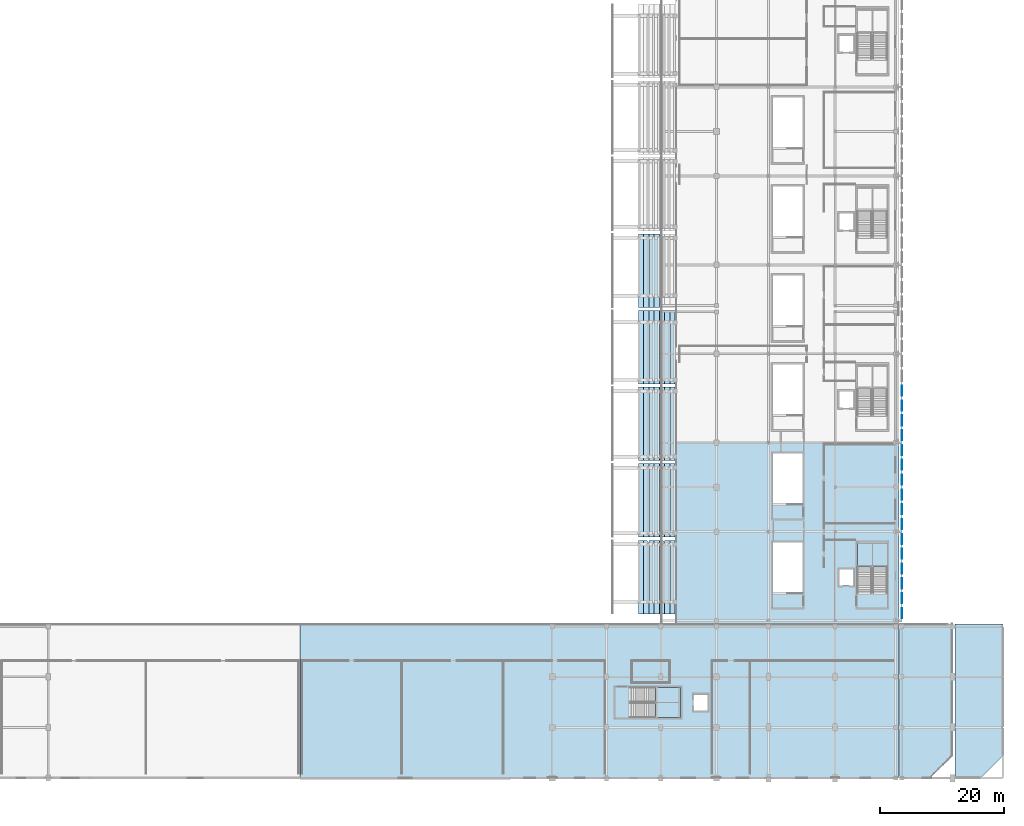
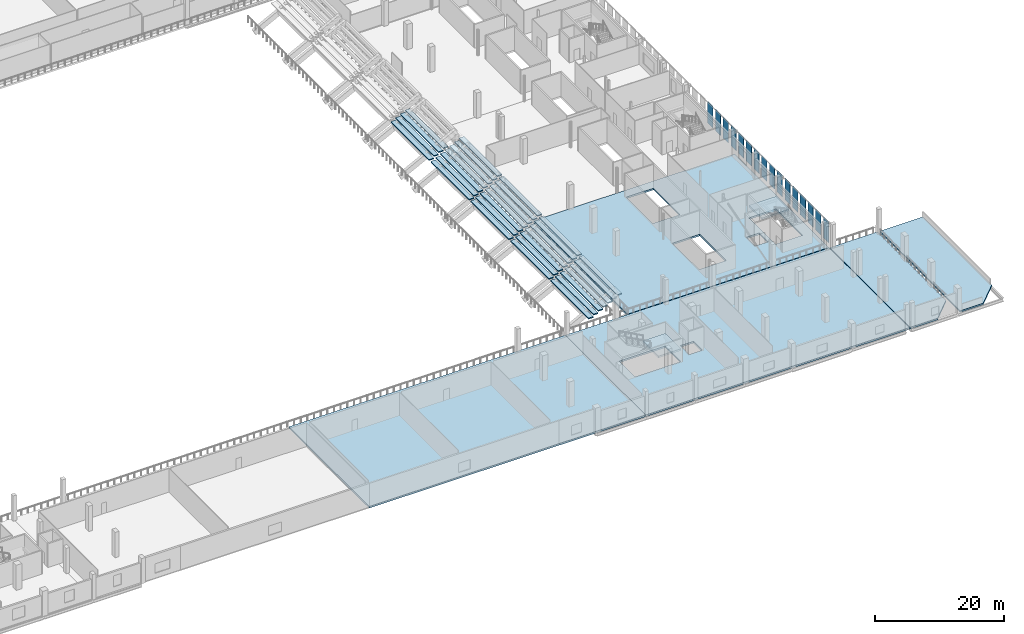
# One storey, part 24 of 74: 39 slabs, 16 plates, 2 elements without a shape of their own.
"""IFC4 building model written with IfcOpenShell, lengths in metres."""

from ifc_helpers import new_model, si_unit, direction, frame, origin, origin_2d, place, context, subcontext, project, spatial, polyline, rectangle, outline, extrude, material, layer, layer_set, type_object, element, aggregate, save


model = new_model("IFC4")

# Units and contexts
model_context = context("Model", 3, precision=1e-05, world=origin(), true_north=direction((0.0, 1.0)))
body_context = subcontext(model_context, "Body", "Model", "MODEL_VIEW")
ifc_project = project(units=[si_unit("LENGTHUNIT", "METRE"), si_unit("AREAUNIT", "SQUARE_METRE"), si_unit("VOLUMEUNIT", "CUBIC_METRE"), si_unit("PLANEANGLEUNIT", "RADIAN"), si_unit("MASSUNIT", "GRAM", prefix="KILO")], contexts=[model_context])

# Site, building, storey
site_placement = place(None, origin())
site = spatial("IfcSite", under=ifc_project, at=site_placement, CompositionType="ELEMENT")
building_placement = place(site_placement, origin())
building = spatial("IfcBuilding", under=site, at=building_placement, Name="Koshinbarg Plaza Stadium", CompositionType="ELEMENT")
storey_placement = place(building_placement, frame((0.0, 0.0, 15.0)))
storey = spatial("IfcBuildingStorey", under=building, at=storey_placement, Name="L03", CompositionType="ELEMENT", Elevation=15.0)

# Plates
ifc_material_1 = material(Name="Off-white mineral-coated perforated aluminium screen panel", Category="aluminium")
ifc_layer_1 = layer(ifc_material_1, 0.050048828125)
ifc_layer_set_1 = layer_set([ifc_layer_1], Name="Off-white mineral-coated perforated aluminium screen panel")
plate_type_1 = type_object("IfcPlateType", Name="PLT-SCR-50", PredefinedType="USERDEFINED", material=ifc_layer_set_1)
for number, where, z_axis, x_axis, name in (
    (1, (219.419921875, 29.10009765625, 0.2001953125), (0.0, 0.0, 1.0), (1.0, 0.0, 0.0), "L03 off-white leaf-pierced outer screen panel 170"),
    (2, (219.419921875, 33.89990234375, 0.2001953125), (0.0, 0.0, 1.0), (1.0, 0.0, 0.0), "L03 off-white leaf-pierced outer screen panel 172"),
    (3, (219.419921875, 38.699951171875, 0.2001953125), (0.0, 0.0, 1.0), (1.0, 0.0, 0.0), "L03 off-white leaf-pierced outer screen panel 174"),
    (4, (219.419921875, 43.5, 0.2001953125), (0.0, 0.0, 1.0), (1.0, 0.0, 0.0), "L03 off-white leaf-pierced outer screen panel 176"),
    (5, (219.419921875, 48.300048828125, 0.2001953125), (0.0, 0.0, 1.0), (1.0, 0.0, 0.0), "L03 off-white leaf-pierced outer screen panel 178"),
    (6, (219.419921875, 53.10009765625, 0.2001953125), (0.0, 0.0, 1.0), (1.0, 0.0, 0.0), "L03 off-white leaf-pierced outer screen panel 180"),
    (7, (219.419921875, 57.89990234375, 0.2001953125), (0.0, 0.0, 1.0), (1.0, 0.0, 0.0), "L03 off-white leaf-pierced outer screen panel 182"),
    (8, (219.419921875, 62.699951171875, 0.2001953125), (0.0, 0.0, 1.0), (1.0, 0.0, 0.0), "L03 off-white leaf-pierced outer screen panel 184"),
):
    element("IfcPlate", number, at=place(storey_placement, frame(where, z_axis=z_axis, x_axis=x_axis)), inside=storey, type_object=plate_type_1, Name=name, ObjectType="SCREEN PANEL", PredefinedType="USERDEFINED", context=body_context, shape_type="SweptSolid", body=[
        extrude(rectangle(XDim=0.050048828125, YDim=1.632080078125, at=origin_2d()), origin(), (0.0, 0.0, 1.0), 4.030029296875),
    ])
ifc_material_2 = material(Name="Off-white mineral-coated leaf-aperture GRC screen panel")
ifc_layer_2 = layer(ifc_material_2, 0.06005859375)
ifc_layer_set_2 = layer_set([ifc_layer_2], Name="Off-white mineral-coated leaf-aperture GRC screen panel")
plate_type_2 = type_object("IfcPlateType", Name="PLT-SCR-60", PredefinedType="USERDEFINED", material=ifc_layer_set_2)
for number, where, z_axis, x_axis, name in (
    (9, (219.425048828125, 26.699951171875, 0.2001953125), (0.0, 0.0, 1.0), (1.0, 0.0, 0.0), "L03 off-white leaf-pierced outer screen panel 169"),
    (10, (219.425048828125, 31.5, 0.2001953125), (0.0, 0.0, 1.0), (1.0, 0.0, 0.0), "L03 off-white leaf-pierced outer screen panel 171"),
    (11, (219.425048828125, 36.300048828125, 0.2001953125), (0.0, 0.0, 1.0), (1.0, 0.0, 0.0), "L03 off-white leaf-pierced outer screen panel 173"),
    (12, (219.425048828125, 41.10009765625, 0.2001953125), (0.0, 0.0, 1.0), (1.0, 0.0, 0.0), "L03 off-white leaf-pierced outer screen panel 175"),
    (13, (219.425048828125, 45.89990234375, 0.2001953125), (0.0, 0.0, 1.0), (1.0, 0.0, 0.0), "L03 off-white leaf-pierced outer screen panel 177"),
    (14, (219.425048828125, 50.699951171875, 0.2001953125), (0.0, 0.0, 1.0), (1.0, 0.0, 0.0), "L03 off-white leaf-pierced outer screen panel 179"),
    (15, (219.425048828125, 55.5, 0.2001953125), (0.0, 0.0, 1.0), (1.0, 0.0, 0.0), "L03 off-white leaf-pierced outer screen panel 181"),
    (16, (219.425048828125, 60.300048828125, 0.2001953125), (0.0, 0.0, 1.0), (1.0, 0.0, 0.0), "L03 off-white leaf-pierced outer screen panel 183"),
):
    element("IfcPlate", number, at=place(storey_placement, frame(where, z_axis=z_axis, x_axis=x_axis)), inside=storey, type_object=plate_type_2, Name=name, ObjectType="SCREEN PANEL", PredefinedType="USERDEFINED", context=body_context, shape_type="SweptSolid", body=[
        extrude(rectangle(XDim=0.06005859375, YDim=1.632080078125, at=origin_2d()), origin(), (0.0, 0.0, 1.0), 4.030029296875),
    ])

# Slabs
ifc_material_3 = material(Name="Concrete C35/45", Category="concrete")
ifc_layer_3 = layer(ifc_material_3, 0.300048828125)
ifc_layer_set_3 = layer_set([ifc_layer_3], Name="Concrete C35/45")
slab_type_1 = type_object("IfcSlabType", Name="SL-FLATROOF-260", PredefinedType="ROOF", material=ifc_layer_set_3)
slab_1_placement = place(storey_placement, frame((0.0, 0.0, -0.300048828125)))
element("IfcSlab", 17, at=slab_1_placement, inside=storey, type_object=slab_type_1, Name="L03 pavilion flat roof slab RF-V4-STEP2", PredefinedType="ROOF", context=body_context, shape_type="SweptSolid", body=[
    extrude(outline(polyline([(228.050048828125, 0.0), (232.199951171875, 0.0), (235.800048828125, 3.60009765625), (235.800048828125, 24.955078125), (228.050048828125, 24.955078125), (228.050048828125, 0.0)])), origin(), (0.0, 0.0, 1.0), 0.300048828125),
])
ifc_layer_4 = layer(ifc_material_3, 0.320068359375)
ifc_layer_set_4 = layer_set([ifc_layer_4], Name="Concrete C35/45")
slab_type_2 = type_object("IfcSlabType", Name="SL-FLR-320", PredefinedType="FLOOR", material=ifc_layer_set_4)
slab_2_placement = place(storey_placement, frame((0.0, 0.0, -0.320068359375)))
element("IfcSlab", 18, at=slab_2_placement, inside=storey, type_object=slab_type_2, Name="L03 V2 structural slab 5", PredefinedType="FLOOR", context=body_context, shape_type="SweptSolid", body=[
    extrude(outline(polyline([(182.800048828125, 25.044921875), (218.955078125, 25.044921875), (218.955078125, 54.300048828125), (182.800048828125, 54.300048828125), (182.800048828125, 25.044921875)]), holes=[polyline([(217.070068359375, 29.9599609375), (217.070068359375, 38.199951171875), (212.199951171875, 38.199951171875), (212.199951171875, 29.9599609375), (217.070068359375, 29.9599609375)]), polyline([(209.25, 31.14990234375), (211.550048828125, 31.14990234375), (211.550048828125, 33.85009765625), (209.25, 33.85009765625), (209.25, 31.14990234375)]), polyline([(203.3701171875, 29.9599609375), (203.3701171875, 38.199951171875), (198.5, 38.199951171875), (198.5, 29.9599609375), (203.3701171875, 29.9599609375)]), polyline([(203.3701171875, 44.360107421875), (203.3701171875, 52.60009765625), (198.5, 52.60009765625), (198.5, 44.360107421875), (203.3701171875, 44.360107421875)])]), origin(), (0.0, 0.0, 1.0), 0.320068359375),
])
slab_3_placement = place(storey_placement, frame((0.0, 0.0, -0.320068359375)))
element("IfcSlab", 19, at=slab_3_placement, inside=storey, type_object=slab_type_2, Name="L03 V4 structural slab 15", PredefinedType="FLOOR", context=body_context, shape_type="SweptSolid", body=[
    extrude(outline(polyline([(122.0, 0.0), (171.60009765625, 0.0), (171.60009765625, 24.955078125), (122.0, 24.955078125), (122.0, 0.0)])), origin(), (0.0, 0.0, 1.0), 0.320068359375),
])
slab_4_placement = place(storey_placement, frame((0.0, 0.0, -0.320068359375)))
element("IfcSlab", 20, at=slab_4_placement, inside=storey, type_object=slab_type_2, Name="L03 V4 structural slab 16", PredefinedType="FLOOR", context=body_context, shape_type="SweptSolid", body=[
    extrude(outline(polyline([(171.60009765625, 0.0), (218.955078125, 0.0), (218.955078125, 24.955078125), (171.60009765625, 24.955078125), (171.60009765625, 0.0)]), holes=[polyline([(175.360107421875, 9.800048828125), (183.60009765625, 9.800048828125), (183.60009765625, 14.669921875), (175.360107421875, 14.669921875), (175.360107421875, 9.800048828125)]), polyline([(185.699951171875, 10.85009765625), (188.0, 10.85009765625), (188.0, 13.550048828125), (185.699951171875, 13.550048828125), (185.699951171875, 10.85009765625)])]), origin(), (0.0, 0.0, 1.0), 0.320068359375),
])
slab_5_placement = place(storey_placement, frame((0.0, 0.0, -0.320068359375)))
element("IfcSlab", 21, at=slab_5_placement, inside=storey, type_object=slab_type_2, Name="L03 V4 structural slab 17", PredefinedType="FLOOR", context=body_context, shape_type="SweptSolid", body=[
    extrude(outline(polyline([(219.044921875, 0.0), (224.0, 0.0), (227.60009765625, 3.60009765625), (227.60009765625, 24.955078125), (219.044921875, 24.955078125), (219.044921875, 0.0)])), origin(), (0.0, 0.0, 1.0), 0.320068359375),
])

# Stair, slab
stair_type = type_object("IfcStairType", Name="ST-CORE-48", PredefinedType="HALF_TURN_STAIR", material=ifc_material_3)
stair_1_placement = place(storey_placement, origin())
stair_1 = element("IfcStair", 22, at=stair_1_placement, inside=storey, type_object=stair_type, Name="L03 Protected Exit Stair C07", PredefinedType="HALF_TURN_STAIR")
ifc_layer_5 = layer(ifc_material_3, 0.320068359375)
ifc_layer_set_5 = layer_set([ifc_layer_5], Name="Concrete C35/45")
slab_type_3 = type_object("IfcSlabType", Name="SL-STLAND-280", PredefinedType="LANDING", material=ifc_layer_set_5)
slab_6_placement = place(storey_placement, frame((0.0, 0.0, 2.080078125)))
slab_6 = element("IfcSlab", 23, at=slab_6_placement, type_object=slab_type_3, Name="L03 Protected Exit Stair C07 landing 040", PredefinedType="LANDING", context=body_context, shape_type="SweptSolid", body=[
    extrude(outline(polyline([(217.070068359375, 34.159912109375), (217.070068359375, 38.199951171875), (212.199951171875, 38.199951171875), (212.199951171875, 34.159912109375), (217.070068359375, 34.159912109375)])), origin(), (0.0, 0.0, 1.0), 0.31982421875),
])
aggregate(stair_1, [slab_6])

stair_2_placement = place(storey_placement, origin())
stair_2 = element("IfcStair", 24, at=stair_2_placement, inside=storey, type_object=stair_type, Name="L03 Protected Exit Stair C14", PredefinedType="HALF_TURN_STAIR")
slab_7_placement = place(storey_placement, frame((0.0, 0.0, 2.080078125)))
slab_7 = element("IfcSlab", 25, at=slab_7_placement, type_object=slab_type_3, Name="L03 Protected Exit Stair C14 landing 070", PredefinedType="LANDING", context=body_context, shape_type="SweptSolid", body=[
    extrude(outline(polyline([(179.56005859375, 9.800048828125), (183.60009765625, 9.800048828125), (183.60009765625, 14.669921875), (179.56005859375, 14.669921875), (179.56005859375, 9.800048828125)])), origin(), (0.0, 0.0, 1.0), 0.31982421875),
])
aggregate(stair_2, [slab_7])

# Slabs
ifc_material_4 = material(Name="Precast concrete C40/50", Category="concrete")
ifc_layer_6 = layer(ifc_material_4, 0.199951171875)
ifc_layer_set_6 = layer_set([ifc_layer_6], Name="Precast concrete C40/50")
slab_type_4 = type_object("IfcSlabType", Name="SL-TIER-UT", PredefinedType="USERDEFINED", material=ifc_layer_set_6)
slab_8_placement = place(storey_placement, frame((0.0, 0.0, 0.219970703125)))
element("IfcSlab", 26, at=slab_8_placement, inside=storey, type_object=slab_type_4, Name="Stand upper seating tier UT-E01 row 6", ObjectType="SEATING TIER", PredefinedType="USERDEFINED", context=body_context, shape_type="SweptSolid", body=[
    extrude(outline(polyline([(176.75, 26.60009765625), (177.60009765625, 26.60009765625), (177.60009765625, 38.5), (176.75, 38.5), (176.75, 26.60009765625)])), origin(), (0.0, 0.0, 1.0), 0.199951171875),
])
slab_9_placement = place(storey_placement, frame((0.0, 0.0, 0.659912109375)))
element("IfcSlab", 27, at=slab_9_placement, inside=storey, type_object=slab_type_4, Name="Stand upper seating tier UT-E01 row 7", ObjectType="SEATING TIER", PredefinedType="USERDEFINED", context=body_context, shape_type="SweptSolid", body=[
    extrude(outline(polyline([(177.60009765625, 26.60009765625), (178.449951171875, 26.60009765625), (178.449951171875, 38.14990234375), (178.10009765625, 38.5), (177.60009765625, 38.5), (177.60009765625, 26.60009765625)])), origin(), (0.0, 0.0, 1.0), 0.2001953125),
])
slab_10_placement = place(storey_placement, frame((0.0, 0.0, 1.10009765625)))
element("IfcSlab", 28, at=slab_10_placement, inside=storey, type_object=slab_type_4, Name="Stand upper seating tier UT-E01 row 8", ObjectType="SEATING TIER", PredefinedType="USERDEFINED", context=body_context, shape_type="SweptSolid", body=[
    extrude(outline(polyline([(178.449951171875, 26.60009765625), (179.300048828125, 26.60009765625), (179.300048828125, 38.5), (178.449951171875, 38.5), (178.449951171875, 26.60009765625)])), origin(), (0.0, 0.0, 1.0), 0.199951171875),
])
slab_11_placement = place(storey_placement, frame((0.0, 0.0, 1.5400390625)))
element("IfcSlab", 29, at=slab_11_placement, inside=storey, type_object=slab_type_4, Name="Stand upper seating tier UT-E01 row 9", ObjectType="SEATING TIER", PredefinedType="USERDEFINED", context=body_context, shape_type="SweptSolid", body=[
    extrude(outline(polyline([(179.300048828125, 26.60009765625), (180.14990234375, 26.60009765625), (180.14990234375, 38.5), (179.300048828125, 38.5), (179.300048828125, 26.60009765625)])), origin(), (0.0, 0.0, 1.0), 0.199951171875),
])
slab_12_placement = place(storey_placement, frame((0.0, 0.0, 1.97998046875)))
element("IfcSlab", 30, at=slab_12_placement, inside=storey, type_object=slab_type_4, Name="Stand upper seating tier UT-E01 row 10", ObjectType="SEATING TIER", PredefinedType="USERDEFINED", context=body_context, shape_type="SweptSolid", body=[
    extrude(outline(polyline([(180.14990234375, 26.60009765625), (181.0, 26.60009765625), (181.0, 38.14990234375), (180.64990234375, 38.5), (180.14990234375, 38.5), (180.14990234375, 26.60009765625)])), origin(), (0.0, 0.0, 1.0), 0.199951171875),
])
slab_13_placement = place(storey_placement, frame((0.0, 0.0, 2.419921875)))
element("IfcSlab", 31, at=slab_13_placement, inside=storey, type_object=slab_type_4, Name="Stand upper seating tier UT-E01 row 11", ObjectType="SEATING TIER", PredefinedType="USERDEFINED", context=body_context, shape_type="SweptSolid", body=[
    extrude(outline(polyline([(181.0, 26.60009765625), (181.85009765625, 26.60009765625), (181.85009765625, 38.5), (181.0, 38.5), (181.0, 26.60009765625)])), origin(), (0.0, 0.0, 1.0), 0.2001953125),
])
slab_14_placement = place(storey_placement, frame((0.0, 0.0, 2.860107421875)))
element("IfcSlab", 32, at=slab_14_placement, inside=storey, type_object=slab_type_4, Name="Stand upper seating tier UT-E01 row 12", ObjectType="SEATING TIER", PredefinedType="USERDEFINED", context=body_context, shape_type="SweptSolid", body=[
    extrude(outline(polyline([(181.85009765625, 26.60009765625), (182.699951171875, 26.60009765625), (182.699951171875, 38.5), (181.85009765625, 38.5), (181.85009765625, 26.60009765625)])), origin(), (0.0, 0.0, 1.0), 0.199951171875),
])
slab_15_placement = place(storey_placement, frame((0.0, 0.0, 0.219970703125)))
element("IfcSlab", 33, at=slab_15_placement, inside=storey, type_object=slab_type_4, Name="Stand upper seating tier UT-E02 row 6", ObjectType="SEATING TIER", PredefinedType="USERDEFINED", context=body_context, shape_type="SweptSolid", body=[
    extrude(outline(polyline([(176.75, 39.0), (177.60009765625, 39.0), (177.60009765625, 50.89990234375), (176.75, 50.89990234375), (176.75, 39.0)])), origin(), (0.0, 0.0, 1.0), 0.199951171875),
])
slab_16_placement = place(storey_placement, frame((0.0, 0.0, 0.659912109375)))
element("IfcSlab", 34, at=slab_16_placement, inside=storey, type_object=slab_type_4, Name="Stand upper seating tier UT-E02 row 7", ObjectType="SEATING TIER", PredefinedType="USERDEFINED", context=body_context, shape_type="SweptSolid", body=[
    extrude(outline(polyline([(177.60009765625, 39.0), (178.449951171875, 39.0), (178.449951171875, 50.89990234375), (177.60009765625, 50.89990234375), (177.60009765625, 39.0)])), origin(), (0.0, 0.0, 1.0), 0.2001953125),
])
slab_17_placement = place(storey_placement, frame((0.0, 0.0, 1.10009765625)))
element("IfcSlab", 35, at=slab_17_placement, inside=storey, type_object=slab_type_4, Name="Stand upper seating tier UT-E02 row 8", ObjectType="SEATING TIER", PredefinedType="USERDEFINED", context=body_context, shape_type="SweptSolid", body=[
    extrude(outline(polyline([(178.449951171875, 39.0), (179.300048828125, 39.0), (179.300048828125, 50.89990234375), (178.449951171875, 50.89990234375), (178.449951171875, 39.0)])), origin(), (0.0, 0.0, 1.0), 0.199951171875),
])
slab_18_placement = place(storey_placement, frame((0.0, 0.0, 1.5400390625)))
element("IfcSlab", 36, at=slab_18_placement, inside=storey, type_object=slab_type_4, Name="Stand upper seating tier UT-E02 row 9", ObjectType="SEATING TIER", PredefinedType="USERDEFINED", context=body_context, shape_type="SweptSolid", body=[
    extrude(outline(polyline([(179.300048828125, 39.0), (180.14990234375, 39.0), (180.14990234375, 50.89990234375), (179.300048828125, 50.89990234375), (179.300048828125, 39.0)])), origin(), (0.0, 0.0, 1.0), 0.199951171875),
])
slab_19_placement = place(storey_placement, frame((0.0, 0.0, 1.97998046875)))
element("IfcSlab", 37, at=slab_19_placement, inside=storey, type_object=slab_type_4, Name="Stand upper seating tier UT-E02 row 10", ObjectType="SEATING TIER", PredefinedType="USERDEFINED", context=body_context, shape_type="SweptSolid", body=[
    extrude(outline(polyline([(180.14990234375, 39.0), (181.0, 39.0), (181.0, 50.89990234375), (180.14990234375, 50.89990234375), (180.14990234375, 39.0)])), origin(), (0.0, 0.0, 1.0), 0.199951171875),
])
slab_20_placement = place(storey_placement, frame((0.0, 0.0, 2.419921875)))
element("IfcSlab", 38, at=slab_20_placement, inside=storey, type_object=slab_type_4, Name="Stand upper seating tier UT-E02 row 11", ObjectType="SEATING TIER", PredefinedType="USERDEFINED", context=body_context, shape_type="SweptSolid", body=[
    extrude(outline(polyline([(181.0, 39.0), (181.85009765625, 39.0), (181.85009765625, 50.89990234375), (181.0, 50.89990234375), (181.0, 39.0)])), origin(), (0.0, 0.0, 1.0), 0.2001953125),
])
slab_21_placement = place(storey_placement, frame((0.0, 0.0, 2.860107421875)))
element("IfcSlab", 39, at=slab_21_placement, inside=storey, type_object=slab_type_4, Name="Stand upper seating tier UT-E02 row 12", ObjectType="SEATING TIER", PredefinedType="USERDEFINED", context=body_context, shape_type="SweptSolid", body=[
    extrude(outline(polyline([(181.85009765625, 39.0), (182.699951171875, 39.0), (182.699951171875, 50.89990234375), (181.85009765625, 50.89990234375), (181.85009765625, 39.0)])), origin(), (0.0, 0.0, 1.0), 0.199951171875),
])
slab_22_placement = place(storey_placement, frame((0.0, 0.0, 0.219970703125)))
element("IfcSlab", 40, at=slab_22_placement, inside=storey, type_object=slab_type_4, Name="Stand upper seating tier UT-E03 row 6", ObjectType="SEATING TIER", PredefinedType="USERDEFINED", context=body_context, shape_type="SweptSolid", body=[
    extrude(outline(polyline([(176.75, 51.39990234375), (177.60009765625, 51.39990234375), (177.60009765625, 63.300048828125), (176.75, 63.300048828125), (176.75, 51.39990234375)])), origin(), (0.0, 0.0, 1.0), 0.199951171875),
])
slab_23_placement = place(storey_placement, frame((0.0, 0.0, 0.659912109375)))
element("IfcSlab", 41, at=slab_23_placement, inside=storey, type_object=slab_type_4, Name="Stand upper seating tier UT-E03 row 7", ObjectType="SEATING TIER", PredefinedType="USERDEFINED", context=body_context, shape_type="SweptSolid", body=[
    extrude(outline(polyline([(177.60009765625, 51.39990234375), (178.449951171875, 51.39990234375), (178.449951171875, 63.300048828125), (177.60009765625, 63.300048828125), (177.60009765625, 51.39990234375)])), origin(), (0.0, 0.0, 1.0), 0.2001953125),
])
slab_24_placement = place(storey_placement, frame((0.0, 0.0, 1.10009765625)))
element("IfcSlab", 42, at=slab_24_placement, inside=storey, type_object=slab_type_4, Name="Stand upper seating tier UT-E03 row 8", ObjectType="SEATING TIER", PredefinedType="USERDEFINED", context=body_context, shape_type="SweptSolid", body=[
    extrude(outline(polyline([(178.449951171875, 51.39990234375), (179.300048828125, 51.39990234375), (179.300048828125, 63.300048828125), (178.449951171875, 63.300048828125), (178.449951171875, 51.39990234375)])), origin(), (0.0, 0.0, 1.0), 0.199951171875),
])
slab_25_placement = place(storey_placement, frame((0.0, 0.0, 1.5400390625)))
element("IfcSlab", 43, at=slab_25_placement, inside=storey, type_object=slab_type_4, Name="Stand upper seating tier UT-E03 row 9", ObjectType="SEATING TIER", PredefinedType="USERDEFINED", context=body_context, shape_type="SweptSolid", body=[
    extrude(outline(polyline([(179.300048828125, 51.39990234375), (180.14990234375, 51.39990234375), (180.14990234375, 63.300048828125), (179.300048828125, 63.300048828125), (179.300048828125, 51.39990234375)])), origin(), (0.0, 0.0, 1.0), 0.199951171875),
])
slab_26_placement = place(storey_placement, frame((0.0, 0.0, 1.97998046875)))
element("IfcSlab", 44, at=slab_26_placement, inside=storey, type_object=slab_type_4, Name="Stand upper seating tier UT-E03 row 10", ObjectType="SEATING TIER", PredefinedType="USERDEFINED", context=body_context, shape_type="SweptSolid", body=[
    extrude(outline(polyline([(180.14990234375, 51.39990234375), (181.0, 51.39990234375), (181.0, 63.300048828125), (180.14990234375, 63.300048828125), (180.14990234375, 51.39990234375)])), origin(), (0.0, 0.0, 1.0), 0.199951171875),
])
slab_27_placement = place(storey_placement, frame((0.0, 0.0, 2.419921875)))
element("IfcSlab", 45, at=slab_27_placement, inside=storey, type_object=slab_type_4, Name="Stand upper seating tier UT-E03 row 11", ObjectType="SEATING TIER", PredefinedType="USERDEFINED", context=body_context, shape_type="SweptSolid", body=[
    extrude(outline(polyline([(181.0, 51.39990234375), (181.85009765625, 51.39990234375), (181.85009765625, 63.300048828125), (181.0, 63.300048828125), (181.0, 51.39990234375)])), origin(), (0.0, 0.0, 1.0), 0.2001953125),
])
slab_28_placement = place(storey_placement, frame((0.0, 0.0, 2.860107421875)))
element("IfcSlab", 46, at=slab_28_placement, inside=storey, type_object=slab_type_4, Name="Stand upper seating tier UT-E03 row 12", ObjectType="SEATING TIER", PredefinedType="USERDEFINED", context=body_context, shape_type="SweptSolid", body=[
    extrude(outline(polyline([(181.85009765625, 51.39990234375), (182.699951171875, 51.39990234375), (182.699951171875, 63.300048828125), (181.85009765625, 63.300048828125), (181.85009765625, 51.39990234375)])), origin(), (0.0, 0.0, 1.0), 0.199951171875),
])
slab_29_placement = place(storey_placement, frame((0.0, 0.0, 0.219970703125)))
element("IfcSlab", 47, at=slab_29_placement, inside=storey, type_object=slab_type_4, Name="Stand upper seating tier UT-E04 row 6", ObjectType="SEATING TIER", PredefinedType="USERDEFINED", context=body_context, shape_type="SweptSolid", body=[
    extrude(outline(polyline([(176.75, 63.800048828125), (177.60009765625, 63.800048828125), (177.60009765625, 75.699951171875), (176.75, 75.699951171875), (176.75, 63.800048828125)])), origin(), (0.0, 0.0, 1.0), 0.199951171875),
])
slab_30_placement = place(storey_placement, frame((0.0, 0.0, 0.659912109375)))
element("IfcSlab", 48, at=slab_30_placement, inside=storey, type_object=slab_type_4, Name="Stand upper seating tier UT-E04 row 7", ObjectType="SEATING TIER", PredefinedType="USERDEFINED", context=body_context, shape_type="SweptSolid", body=[
    extrude(outline(polyline([(177.60009765625, 63.800048828125), (178.449951171875, 63.800048828125), (178.449951171875, 75.699951171875), (177.60009765625, 75.699951171875), (177.60009765625, 63.800048828125)])), origin(), (0.0, 0.0, 1.0), 0.2001953125),
])
slab_31_placement = place(storey_placement, frame((0.0, 0.0, 1.10009765625)))
element("IfcSlab", 49, at=slab_31_placement, inside=storey, type_object=slab_type_4, Name="Stand upper seating tier UT-E04 row 8", ObjectType="SEATING TIER", PredefinedType="USERDEFINED", context=body_context, shape_type="SweptSolid", body=[
    extrude(outline(polyline([(178.449951171875, 63.800048828125), (179.300048828125, 63.800048828125), (179.300048828125, 75.699951171875), (178.449951171875, 75.699951171875), (178.449951171875, 63.800048828125)])), origin(), (0.0, 0.0, 1.0), 0.199951171875),
])
slab_32_placement = place(storey_placement, frame((0.0, 0.0, 1.5400390625)))
element("IfcSlab", 50, at=slab_32_placement, inside=storey, type_object=slab_type_4, Name="Stand upper seating tier UT-E04 row 9", ObjectType="SEATING TIER", PredefinedType="USERDEFINED", context=body_context, shape_type="SweptSolid", body=[
    extrude(outline(polyline([(179.300048828125, 63.800048828125), (180.14990234375, 63.800048828125), (180.14990234375, 75.699951171875), (179.300048828125, 75.699951171875), (179.300048828125, 63.800048828125)])), origin(), (0.0, 0.0, 1.0), 0.199951171875),
])
slab_33_placement = place(storey_placement, frame((0.0, 0.0, 1.97998046875)))
element("IfcSlab", 51, at=slab_33_placement, inside=storey, type_object=slab_type_4, Name="Stand upper seating tier UT-E04 row 10", ObjectType="SEATING TIER", PredefinedType="USERDEFINED", context=body_context, shape_type="SweptSolid", body=[
    extrude(outline(polyline([(180.14990234375, 63.800048828125), (181.0, 63.800048828125), (181.0, 75.699951171875), (180.14990234375, 75.699951171875), (180.14990234375, 63.800048828125)])), origin(), (0.0, 0.0, 1.0), 0.199951171875),
])
slab_34_placement = place(storey_placement, frame((0.0, 0.0, 2.419921875)))
element("IfcSlab", 52, at=slab_34_placement, inside=storey, type_object=slab_type_4, Name="Stand upper seating tier UT-E04 row 11", ObjectType="SEATING TIER", PredefinedType="USERDEFINED", context=body_context, shape_type="SweptSolid", body=[
    extrude(outline(polyline([(181.0, 63.800048828125), (181.85009765625, 63.800048828125), (181.85009765625, 75.699951171875), (181.0, 75.699951171875), (181.0, 63.800048828125)])), origin(), (0.0, 0.0, 1.0), 0.2001953125),
])
slab_35_placement = place(storey_placement, frame((0.0, 0.0, 2.860107421875)))
element("IfcSlab", 53, at=slab_35_placement, inside=storey, type_object=slab_type_4, Name="Stand upper seating tier UT-E04 row 12", ObjectType="SEATING TIER", PredefinedType="USERDEFINED", context=body_context, shape_type="SweptSolid", body=[
    extrude(outline(polyline([(181.85009765625, 63.800048828125), (182.699951171875, 63.800048828125), (182.699951171875, 75.699951171875), (181.85009765625, 75.699951171875), (181.85009765625, 63.800048828125)])), origin(), (0.0, 0.0, 1.0), 0.199951171875),
])
slab_36_placement = place(storey_placement, frame((0.0, 0.0, 0.219970703125)))
element("IfcSlab", 54, at=slab_36_placement, inside=storey, type_object=slab_type_4, Name="Stand upper seating tier UT-E05 row 6", ObjectType="SEATING TIER", PredefinedType="USERDEFINED", context=body_context, shape_type="SweptSolid", body=[
    extrude(outline(polyline([(176.75, 76.199951171875), (177.60009765625, 76.199951171875), (177.60009765625, 88.10009765625), (176.75, 88.10009765625), (176.75, 76.199951171875)])), origin(), (0.0, 0.0, 1.0), 0.199951171875),
])
slab_37_placement = place(storey_placement, frame((0.0, 0.0, 0.659912109375)))
element("IfcSlab", 55, at=slab_37_placement, inside=storey, type_object=slab_type_4, Name="Stand upper seating tier UT-E05 row 7", ObjectType="SEATING TIER", PredefinedType="USERDEFINED", context=body_context, shape_type="SweptSolid", body=[
    extrude(outline(polyline([(177.60009765625, 76.199951171875), (178.449951171875, 76.199951171875), (178.449951171875, 88.10009765625), (177.60009765625, 88.10009765625), (177.60009765625, 76.199951171875)])), origin(), (0.0, 0.0, 1.0), 0.2001953125),
])
slab_38_placement = place(storey_placement, frame((0.0, 0.0, 1.10009765625)))
element("IfcSlab", 56, at=slab_38_placement, inside=storey, type_object=slab_type_4, Name="Stand upper seating tier UT-E05 row 8", ObjectType="SEATING TIER", PredefinedType="USERDEFINED", context=body_context, shape_type="SweptSolid", body=[
    extrude(outline(polyline([(178.449951171875, 76.199951171875), (179.300048828125, 76.199951171875), (179.300048828125, 88.10009765625), (178.449951171875, 88.10009765625), (178.449951171875, 76.199951171875)])), origin(), (0.0, 0.0, 1.0), 0.199951171875),
])
slab_39_placement = place(storey_placement, frame((0.0, 0.0, 1.5400390625)))
element("IfcSlab", 57, at=slab_39_placement, inside=storey, type_object=slab_type_4, Name="Stand upper seating tier UT-E05 row 9", ObjectType="SEATING TIER", PredefinedType="USERDEFINED", context=body_context, shape_type="SweptSolid", body=[
    extrude(outline(polyline([(179.300048828125, 76.199951171875), (180.14990234375, 76.199951171875), (180.14990234375, 88.10009765625), (179.300048828125, 88.10009765625), (179.300048828125, 76.199951171875)])), origin(), (0.0, 0.0, 1.0), 0.199951171875),
])

save(model, "model.ifc")
